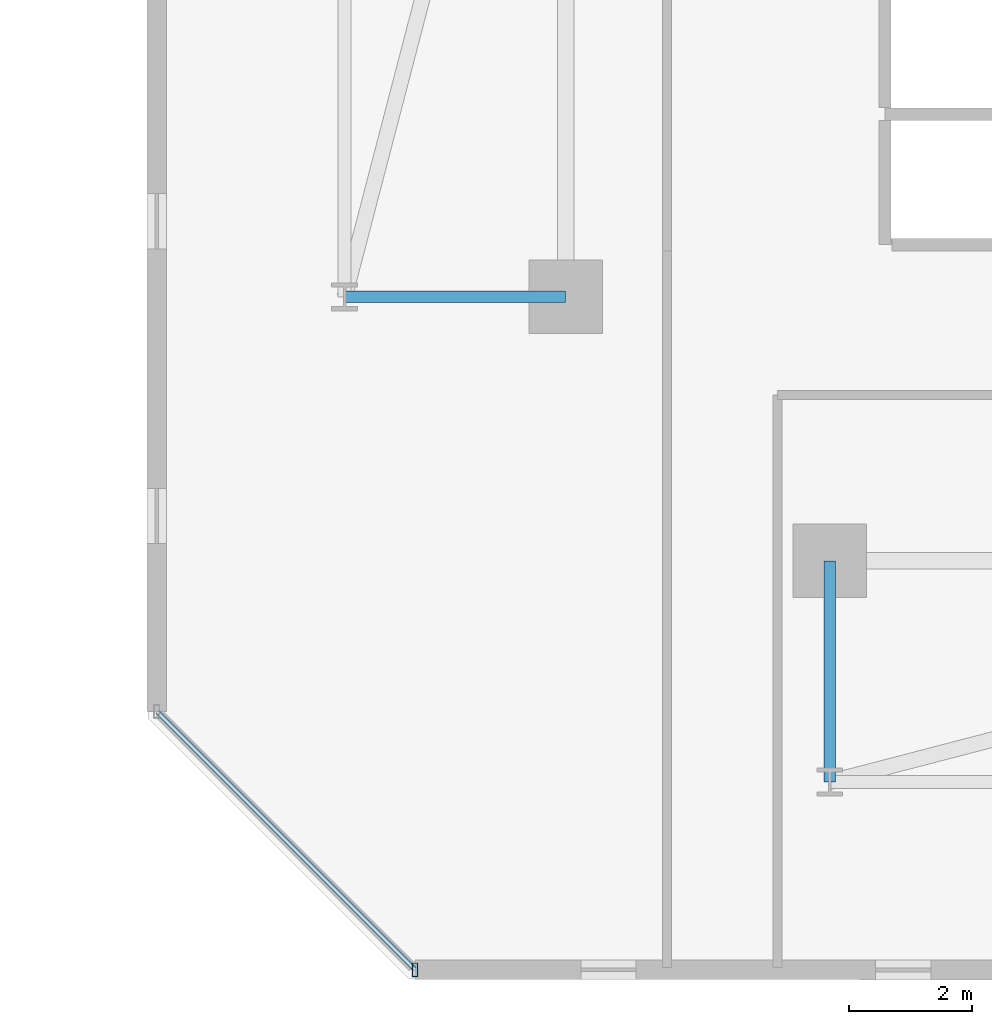
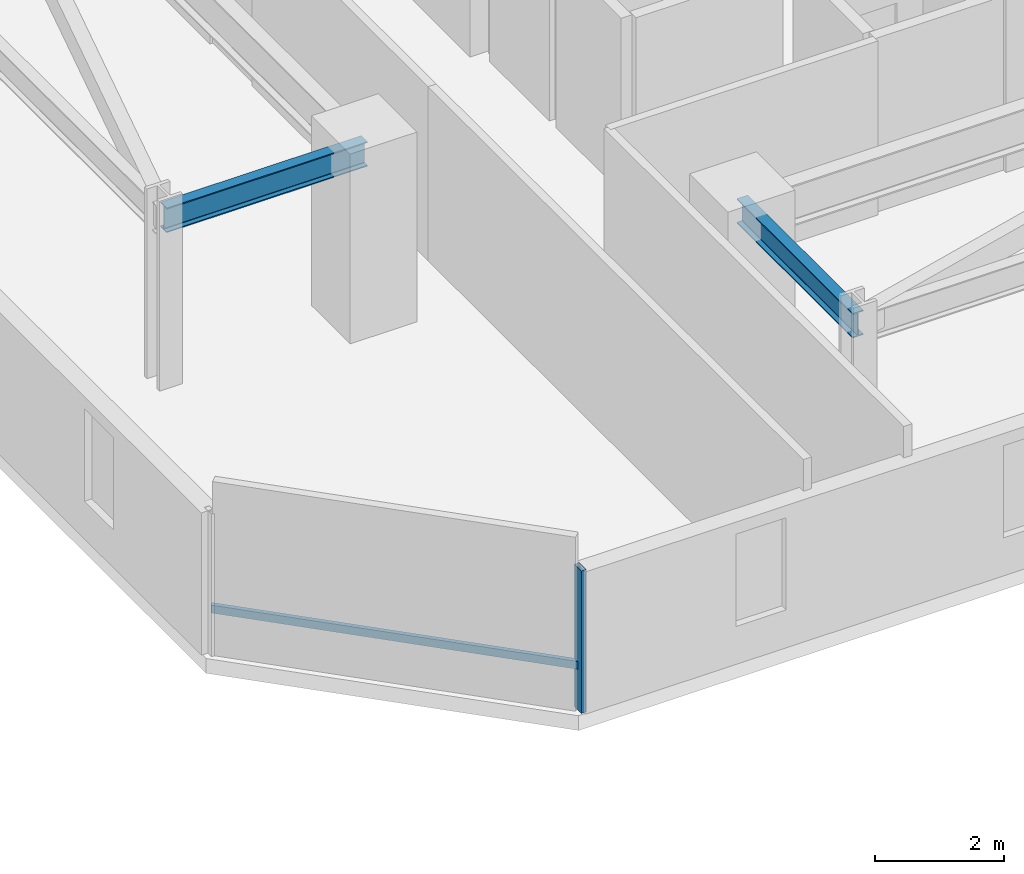
# One storey, part 12 of 33: 2 beams, 2 members, 1 element without a shape of its own.
"""IFC4 building model written with IfcOpenShell, lengths in metres."""

from ifc_helpers import new_model, si_unit, direction, frame, origin, origin_2d, place, context, subcontext, project, spatial, hollow_rectangle, i_section, extrude, material, material_profile, profile_set, type_object, element, aggregate, save


model = new_model("IFC4")

# Units and contexts
model_context = context("Model", 3, precision=1e-05, world=origin(), true_north=direction((0.0, 1.0)))
body_context = subcontext(model_context, "Body", "Model", "MODEL_VIEW")
ifc_project = project(units=[si_unit("LENGTHUNIT", "METRE"), si_unit("AREAUNIT", "SQUARE_METRE"), si_unit("VOLUMEUNIT", "CUBIC_METRE"), si_unit("PLANEANGLEUNIT", "RADIAN"), si_unit("MASSUNIT", "GRAM", prefix="KILO")], contexts=[model_context])

# Site, building, storey
site_placement = place(None, origin())
site = spatial("IfcSite", under=ifc_project, at=site_placement, CompositionType="ELEMENT")
building_placement = place(site_placement, origin())
building = spatial("IfcBuilding", under=site, at=building_placement, Name="Thornwick Lancets Civic Towers", CompositionType="ELEMENT")
storey_placement = place(building_placement, frame((0.0, 0.0, 98.10009765625)))
storey = spatial("IfcBuildingStorey", under=building, at=storey_placement, Name="L25", CompositionType="ELEMENT", Elevation=98.10009765625)

# Beams
ifc_material_1 = material(Name="Steel S355JR", Category="steel")
ifc_material_profile_1 = material_profile(ifc_material_1, i_section(OverallWidth=0.19287109375, OverallDepth=0.46728515625, WebThickness=0.011474609375, FlangeThickness=0.01953125, FilletRadius=0.01025390625, at=origin_2d()), Name="UKB 457x191x98")
ifc_profile_set_1 = profile_set([ifc_material_profile_1], Name="Steel S355JR")
beam_type = type_object("IfcBeamType", Name="BM_JOIST_457_98", PredefinedType="JOIST", material=ifc_profile_set_1)
for number, where, z_axis, x_axis, name in (
    (1, (71.199951171875, 14.0, 3.086181640625), (-1.0, 0.0, 0.0), (0.0, -1.0, 0.0), "BM-RAD-L25-B07"),
    (2, (75.5, 9.699951171875, 3.086181640625), (0.0, -1.0, 0.0), (1.0, 0.0, 0.0), "BM-RAD-L25-B12"),
):
    element("IfcBeam", number, at=place(storey_placement, frame(where, z_axis=z_axis, x_axis=x_axis)), inside=storey, type_object=beam_type, Name=name, PredefinedType="JOIST", context=body_context, shape_type="SweptSolid", body=[
        extrude(i_section(OverallWidth=0.19287109375, OverallDepth=0.46728515625, WebThickness=0.011474609375, FlangeThickness=0.01953125, FilletRadius=0.01025390625, at=origin_2d()), origin(), (0.0, 0.0, 1.0), 3.599853515625),
    ])

# Curtain wall, members
ifc_material_2 = material(Name="Low-zone chamfered-corner unitised glass curtain wall", Category="glass")
curtain_wall_type = type_object("IfcCurtainWallType", Name="CW_SYS_03", PredefinedType="NOTDEFINED", material=ifc_material_2)
curtain_wall_placement = place(storey_placement, origin())
curtain_wall = element("IfcCurtainWall", 3, at=curtain_wall_placement, inside=storey, type_object=curtain_wall_type, Name="L25 Curtain Wall CW-L25-B-E7", PredefinedType="NOTDEFINED")
ifc_material_3 = material(Name="Thermally broken bronze aluminium S355", Category="steel")
ifc_material_profile_2 = material_profile(ifc_material_3, hollow_rectangle(XDim=0.090087890625, YDim=0.219970703125, WallThickness=0.00634765625, at=origin_2d()), Name="RHS 220x90x6.3")
ifc_profile_set_2 = profile_set([ifc_material_profile_2], Name="Thermally broken bronze aluminium S355")
member_type_1 = type_object("IfcMemberType", Name="CW_MUL_220", PredefinedType="MULLION", material=ifc_profile_set_2)
member_1_placement = place(storey_placement, frame((68.748291015625, 3.04052734375, 0.0), z_axis=(0.0, 0.0, 1.0), x_axis=(1.0, 0.0, 0.0)))
member_1 = element("IfcMember", 4, at=member_1_placement, type_object=member_type_1, Name="CW-L25-B-E7 Mullion 1", PredefinedType="MULLION", context=body_context, shape_type="SweptSolid", body=[
    extrude(hollow_rectangle(XDim=0.090087890625, YDim=0.219970703125, WallThickness=0.00634765625, at=origin_2d()), origin(), (0.0, 0.0, 1.0), 2.699951171875),
])
ifc_material_profile_3 = material_profile(ifc_material_3, hollow_rectangle(XDim=0.074951171875, YDim=0.14990234375, WallThickness=0.0048828125, at=origin_2d()), Name="RHS 150x75x5")
ifc_profile_set_3 = profile_set([ifc_material_profile_3], Name="Thermally broken bronze aluminium S355")
member_type_2 = type_object("IfcMemberType", Name="CW_TRN_150", PredefinedType="USERDEFINED", material=ifc_profile_set_3)
member_2_placement = place(storey_placement, frame((64.5546875, 7.234375, 0.849853515625), z_axis=(0.707106781187, -0.707106781187, 0.0), x_axis=(0.707106781187, 0.707106781187, 0.0)))
member_2 = element("IfcMember", 5, at=member_2_placement, type_object=member_type_2, Name="CW-L25-B-E7 Transom 0", ObjectType="TRANSOM", PredefinedType="USERDEFINED", context=body_context, shape_type="SweptSolid", body=[
    extrude(hollow_rectangle(XDim=0.074951171875, YDim=0.14990234375, WallThickness=0.0048828125, at=origin_2d()), origin(), (0.0, 0.0, 1.0), 5.910888671875),
])
aggregate(curtain_wall, [member_1, member_2])

save(model, "model.ifc")
